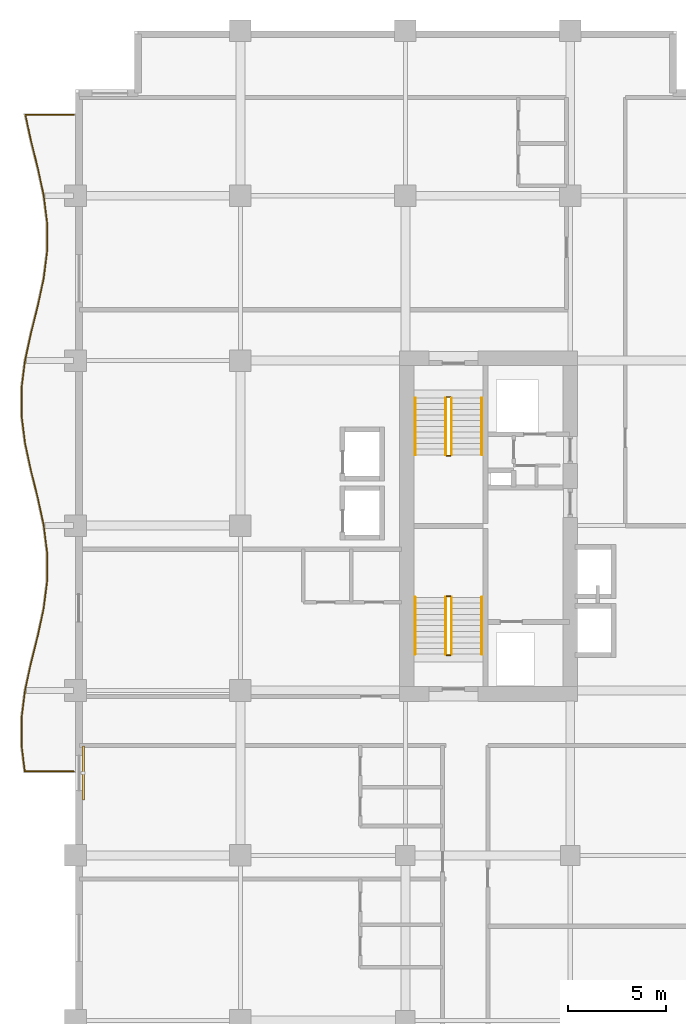
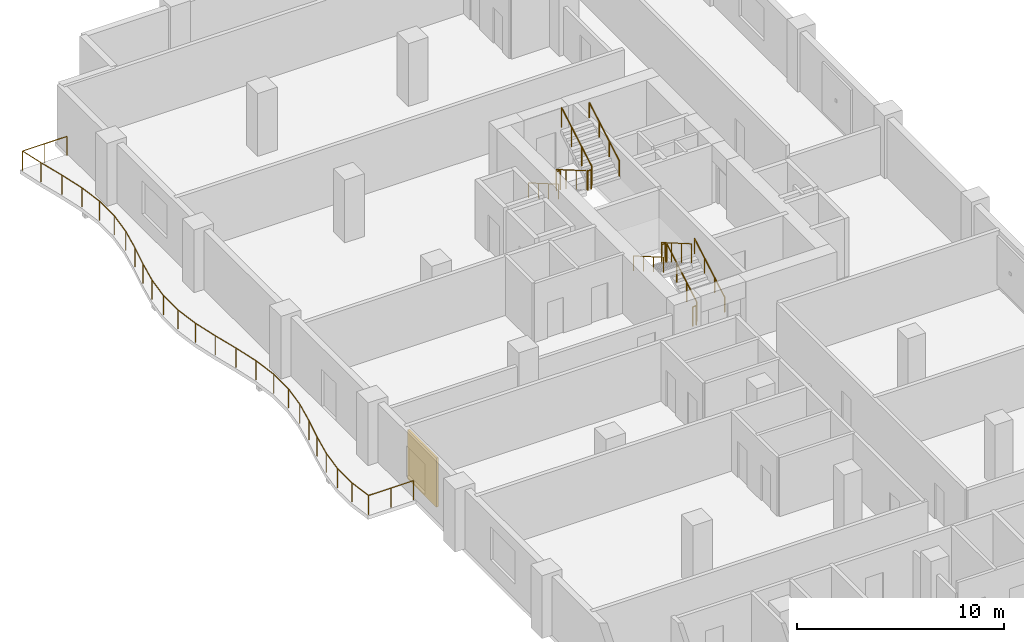
# One storey, part 15 of 16: 13 railings, 1 shading device.
"""IFC4 building model written with IfcOpenShell, lengths in metres."""

from ifc_helpers import new_model, si_unit, direction, frame, origin, origin_2d, place, context, subcontext, project, spatial, rectangle, circle, extrude, material, layer, layer_set, type_object, element, save


model = new_model("IFC4")

# Units and contexts
model_context = context("Model", 3, precision=1e-05, world=origin(), true_north=direction((0.0, 1.0)))
body_context = subcontext(model_context, "Body", "Model", "MODEL_VIEW")
ifc_project = project(units=[si_unit("LENGTHUNIT", "METRE"), si_unit("AREAUNIT", "SQUARE_METRE"), si_unit("VOLUMEUNIT", "CUBIC_METRE"), si_unit("PLANEANGLEUNIT", "RADIAN"), si_unit("MASSUNIT", "GRAM", prefix="KILO")], contexts=[model_context])

# Site, building, storey
site_placement = place(None, origin())
site = spatial("IfcSite", under=ifc_project, at=site_placement, CompositionType="ELEMENT")
building_placement = place(site_placement, origin())
building = spatial("IfcBuilding", under=site, at=building_placement, Name="Koriwani Terraces Tower", CompositionType="ELEMENT")
storey_placement = place(building_placement, frame((0.0, 0.0, 171.699951171875)))
storey = spatial("IfcBuildingStorey", under=building, at=storey_placement, Name="L41", CompositionType="ELEMENT", Elevation=171.699951171875)

# Railings
ifc_material_1 = material(Name="Steel ASTM A572 Grade 50", Category="steel")
railing_type_1 = type_object("IfcRailingType", Name="GUARD_BALUSTRADE_1150", PredefinedType="BALUSTRADE", material=ifc_material_1)
railing_1_placement = place(storey_placement, frame((-0.080078125, 37.8798828125, 0.0)))
element("IfcRailing", 1, at=railing_1_placement, inside=storey, type_object=railing_type_1, Name="L41 Balcony Perimeter Safety Balustrade (W)", PredefinedType="BALUSTRADE", context=body_context, shape_type="SweptSolid", body=[
    extrude(circle(Radius=0.02392578125, at=origin_2d()), frame((0.0, 0.0, 1.1259765625), z_axis=(-1.0, 0.0, 0.0), x_axis=(0.0, -1.0, 0.0)), (0.0, 0.0, 1.0), 2.501708984375),
    extrude(circle(Radius=0.02392578125, at=origin_2d()), frame((-2.501708984375, 0.0, 1.1259765625), z_axis=(-0.123764728544, 0.992311590161, 0.0), x_axis=(-0.992311590161, -0.123764728544, 0.0)), (0.0, 0.0, 1.0), 1.33544921875),
    extrude(circle(Radius=0.02392578125, at=origin_2d()), frame((-2.6669921875, 1.3251953125, 1.1259765625), z_axis=(0.0, 1.0, 0.0), x_axis=(-1.0, 0.0, 0.0)), (0.0, 0.0, 1.0), 1.389892578125),
    extrude(circle(Radius=0.02392578125, at=origin_2d()), frame((-2.6669921875, 2.715087890625, 1.1259765625), z_axis=(0.123777613669, 0.992309982997, 0.0), x_axis=(-0.992309982997, 0.123777613669, 0.0)), (0.0, 0.0, 1.0), 1.40234375),
    extrude(circle(Radius=0.02392578125, at=origin_2d()), frame((-2.493408203125, 4.106689453125, 1.1259765625), z_axis=(0.211385782237, 0.977402706702, 0.0), x_axis=(-0.977402706702, 0.211385782237, 0.0)), (0.0, 0.0, 1.0), 1.427490234375),
    extrude(circle(Radius=0.02392578125, at=origin_2d()), frame((-2.191650390625, 5.501953125, 1.1259765625), z_axis=(0.242097720621, 0.970251871253, 0.0), x_axis=(-0.970251871253, 0.242097720621, 0.0)), (0.0, 0.0, 1.0), 1.443115234375),
    extrude(circle(Radius=0.02392578125, at=origin_2d()), frame((-1.84228515625, 6.902099609375, 1.1259765625), z_axis=(0.211188023857, 0.977445455552, 0.0), x_axis=(-0.977445455552, 0.211188023857, 0.0)), (0.0, 0.0, 1.0), 1.43701171875),
    extrude(circle(Radius=0.02392578125, at=origin_2d()), frame((-1.538818359375, 8.306640625, 1.1259765625), z_axis=(0.123674829633, 0.992322798546, 0.0), x_axis=(-0.992322798546, 0.123674829633, 0.0)), (0.0, 0.0, 1.0), 1.41943359375),
    extrude(circle(Radius=0.02392578125, at=origin_2d()), frame((-1.36328125, 9.715087890625, 1.1259765625), z_axis=(0.0, 1.0, 0.0), x_axis=(-1.0, 0.0, 0.0)), (0.0, 0.0, 1.0), 1.409912109375),
    extrude(circle(Radius=0.02392578125, at=origin_2d()), frame((-1.36328125, 11.125, 1.1259765625), z_axis=(-0.123674829633, 0.992322798546, 0.0), x_axis=(-0.992322798546, -0.123674829633, 0.0)), (0.0, 0.0, 1.0), 1.41943359375),
    extrude(circle(Radius=0.02392578125, at=origin_2d()), frame((-1.538818359375, 12.533447265625, 1.1259765625), z_axis=(-0.21115295759, 0.977453031353, 0.0), x_axis=(-0.977453031353, -0.21115295759, 0.0)), (0.0, 0.0, 1.0), 1.437255859375),
    extrude(circle(Radius=0.02392578125, at=origin_2d()), frame((-1.84228515625, 13.938232421875, 1.1259765625), z_axis=(-0.242137466795, 0.970241952903, 0.0), x_axis=(-0.970241952903, -0.242137466795, 0.0)), (0.0, 0.0, 1.0), 1.44287109375),
    extrude(circle(Radius=0.02392578125, at=origin_2d()), frame((-2.191650390625, 15.338134765625, 1.1259765625), z_axis=(-0.211385782237, 0.977402706702, 0.0), x_axis=(-0.977402706702, -0.211385782237, 0.0)), (0.0, 0.0, 1.0), 1.427490234375),
    extrude(circle(Radius=0.02392578125, at=origin_2d()), frame((-2.493408203125, 16.7333984375, 1.1259765625), z_axis=(-0.123777613669, 0.992309982997, 0.0), x_axis=(-0.992309982997, -0.123777613669, 0.0)), (0.0, 0.0, 1.0), 1.40234375),
    extrude(circle(Radius=0.02392578125, at=origin_2d()), frame((-2.6669921875, 18.125, 1.1259765625), z_axis=(0.0, 1.0, 0.0), x_axis=(-1.0, 0.0, 0.0)), (0.0, 0.0, 1.0), 1.39013671875),
    extrude(circle(Radius=0.02392578125, at=origin_2d()), frame((-2.6669921875, 19.51513671875, 1.1259765625), z_axis=(0.123777613669, 0.992309982997, 0.0), x_axis=(-0.992309982997, 0.123777613669, 0.0)), (0.0, 0.0, 1.0), 1.40234375),
    extrude(circle(Radius=0.02392578125, at=origin_2d()), frame((-2.493408203125, 20.90673828125, 1.1259765625), z_axis=(0.211385782237, 0.977402706702, 0.0), x_axis=(-0.977402706702, 0.211385782237, 0.0)), (0.0, 0.0, 1.0), 1.427490234375),
    extrude(circle(Radius=0.02392578125, at=origin_2d()), frame((-2.191650390625, 22.302001953125, 1.1259765625), z_axis=(0.242137466795, 0.970241952903, 0.0), x_axis=(-0.970241952903, 0.242137466795, 0.0)), (0.0, 0.0, 1.0), 1.44287109375),
    extrude(circle(Radius=0.02392578125, at=origin_2d()), frame((-1.84228515625, 23.701904296875, 1.1259765625), z_axis=(0.21115295759, 0.977453031353, 0.0), x_axis=(-0.977453031353, 0.21115295759, 0.0)), (0.0, 0.0, 1.0), 1.437255859375),
    extrude(circle(Radius=0.02392578125, at=origin_2d()), frame((-1.538818359375, 25.106689453125, 1.1259765625), z_axis=(0.123674829633, 0.992322798546, 0.0), x_axis=(-0.992322798546, 0.123674829633, 0.0)), (0.0, 0.0, 1.0), 1.41943359375),
    extrude(circle(Radius=0.02392578125, at=origin_2d()), frame((-1.36328125, 26.51513671875, 1.1259765625), z_axis=(0.0, 1.0, 0.0), x_axis=(-1.0, 0.0, 0.0)), (0.0, 0.0, 1.0), 1.409912109375),
    extrude(circle(Radius=0.02392578125, at=origin_2d()), frame((-1.36328125, 27.925048828125, 1.1259765625), z_axis=(-0.123674829633, 0.992322798546, 0.0), x_axis=(-0.992322798546, -0.123674829633, 0.0)), (0.0, 0.0, 1.0), 1.41943359375),
    extrude(circle(Radius=0.02392578125, at=origin_2d()), frame((-1.538818359375, 29.33349609375, 1.1259765625), z_axis=(-0.21115295759, 0.977453031353, 0.0), x_axis=(-0.977453031353, -0.21115295759, 0.0)), (0.0, 0.0, 1.0), 1.437255859375),
    extrude(circle(Radius=0.02392578125, at=origin_2d()), frame((-1.84228515625, 30.73828125, 1.1259765625), z_axis=(-0.242137466795, 0.970241952903, 0.0), x_axis=(-0.970241952903, -0.242137466795, 0.0)), (0.0, 0.0, 1.0), 1.44287109375),
    extrude(circle(Radius=0.02392578125, at=origin_2d()), frame((-2.191650390625, 32.13818359375, 1.1259765625), z_axis=(-0.211318595877, 0.977417234878, 0.0), x_axis=(-0.977417234878, -0.211318595877, 0.0)), (0.0, 0.0, 1.0), 1.33203125),
    extrude(circle(Radius=0.02392578125, at=origin_2d()), frame((-2.47314453125, 33.440185546875, 1.1259765625), z_axis=(1.0, 0.0, 0.0), x_axis=(0.0, 1.0, 0.0)), (0.0, 0.0, 1.0), 2.47314453125),
    extrude(circle(Radius=0.02099609375, at=origin_2d()), origin(), (0.0, 0.0, 1.0), 1.101806640625),
    extrude(circle(Radius=0.02099609375, at=origin_2d()), frame((-1.2509765625, 0.0, 0.0)), (0.0, 0.0, 1.0), 1.101806640625),
    extrude(circle(Radius=0.02099609375, at=origin_2d()), frame((-2.501708984375, 0.0, 0.0)), (0.0, 0.0, 1.0), 1.101806640625),
    extrude(circle(Radius=0.02099609375, at=origin_2d()), frame((-2.6669921875, 1.3251953125, 0.0)), (0.0, 0.0, 1.0), 1.101806640625),
    extrude(circle(Radius=0.02099609375, at=origin_2d()), frame((-2.6669921875, 2.715087890625, 0.0)), (0.0, 0.0, 1.0), 1.101806640625),
    extrude(circle(Radius=0.02099609375, at=origin_2d()), frame((-2.493408203125, 4.106689453125, 0.0)), (0.0, 0.0, 1.0), 1.101806640625),
    extrude(circle(Radius=0.02099609375, at=origin_2d()), frame((-2.191650390625, 5.501953125, 0.0)), (0.0, 0.0, 1.0), 1.101806640625),
    extrude(circle(Radius=0.02099609375, at=origin_2d()), frame((-1.84228515625, 6.902099609375, 0.0)), (0.0, 0.0, 1.0), 1.101806640625),
    extrude(circle(Radius=0.02099609375, at=origin_2d()), frame((-1.538818359375, 8.306640625, 0.0)), (0.0, 0.0, 1.0), 1.101806640625),
    extrude(circle(Radius=0.02099609375, at=origin_2d()), frame((-1.36328125, 9.715087890625, 0.0)), (0.0, 0.0, 1.0), 1.101806640625),
    extrude(circle(Radius=0.02099609375, at=origin_2d()), frame((-1.36328125, 11.125, 0.0)), (0.0, 0.0, 1.0), 1.101806640625),
    extrude(circle(Radius=0.02099609375, at=origin_2d()), frame((-1.538818359375, 12.533447265625, 0.0)), (0.0, 0.0, 1.0), 1.101806640625),
    extrude(circle(Radius=0.02099609375, at=origin_2d()), frame((-1.84228515625, 13.938232421875, 0.0)), (0.0, 0.0, 1.0), 1.101806640625),
    extrude(circle(Radius=0.02099609375, at=origin_2d()), frame((-2.191650390625, 15.338134765625, 0.0)), (0.0, 0.0, 1.0), 1.101806640625),
    extrude(circle(Radius=0.02099609375, at=origin_2d()), frame((-2.493408203125, 16.7333984375, 0.0)), (0.0, 0.0, 1.0), 1.101806640625),
    extrude(circle(Radius=0.02099609375, at=origin_2d()), frame((-2.6669921875, 18.125, 0.0)), (0.0, 0.0, 1.0), 1.101806640625),
    extrude(circle(Radius=0.02099609375, at=origin_2d()), frame((-2.6669921875, 19.51513671875, 0.0)), (0.0, 0.0, 1.0), 1.101806640625),
    extrude(circle(Radius=0.02099609375, at=origin_2d()), frame((-2.493408203125, 20.90673828125, 0.0)), (0.0, 0.0, 1.0), 1.101806640625),
    extrude(circle(Radius=0.02099609375, at=origin_2d()), frame((-2.191650390625, 22.302001953125, 0.0)), (0.0, 0.0, 1.0), 1.101806640625),
    extrude(circle(Radius=0.02099609375, at=origin_2d()), frame((-1.84228515625, 23.701904296875, 0.0)), (0.0, 0.0, 1.0), 1.101806640625),
    extrude(circle(Radius=0.02099609375, at=origin_2d()), frame((-1.538818359375, 25.106689453125, 0.0)), (0.0, 0.0, 1.0), 1.101806640625),
    extrude(circle(Radius=0.02099609375, at=origin_2d()), frame((-1.36328125, 26.51513671875, 0.0)), (0.0, 0.0, 1.0), 1.101806640625),
    extrude(circle(Radius=0.02099609375, at=origin_2d()), frame((-1.36328125, 27.925048828125, 0.0)), (0.0, 0.0, 1.0), 1.101806640625),
    extrude(circle(Radius=0.02099609375, at=origin_2d()), frame((-1.538818359375, 29.33349609375, 0.0)), (0.0, 0.0, 1.0), 1.101806640625),
    extrude(circle(Radius=0.02099609375, at=origin_2d()), frame((-1.84228515625, 30.73828125, 0.0)), (0.0, 0.0, 1.0), 1.101806640625),
    extrude(circle(Radius=0.02099609375, at=origin_2d()), frame((-2.191650390625, 32.13818359375, 0.0)), (0.0, 0.0, 1.0), 1.101806640625),
    extrude(circle(Radius=0.02099609375, at=origin_2d()), frame((-2.47314453125, 33.440185546875, 0.0)), (0.0, 0.0, 1.0), 1.101806640625),
    extrude(circle(Radius=0.02099609375, at=origin_2d()), frame((-1.236572265625, 33.440185546875, 0.0)), (0.0, 0.0, 1.0), 1.101806640625),
    extrude(circle(Radius=0.02099609375, at=origin_2d()), frame((0.0, 33.440185546875, 0.0)), (0.0, 0.0, 1.0), 1.101806640625),
])
railing_type_2 = type_object("IfcRailingType", Name="GUARD_STAIR_WELL_1120", PredefinedType="GUARDRAIL", material=ifc_material_1)
railing_2_placement = place(storey_placement, frame((19.14990234375, 43.85009765625, 0.168212890625)))
element("IfcRailing", 2, at=railing_2_placement, inside=storey, type_object=railing_type_2, Name="L41 ST-W1 stair guard 1", PredefinedType="GUARDRAIL", context=body_context, shape_type="SweptSolid", body=[
    extrude(circle(Radius=0.02392578125, at=origin_2d()), frame((0.0, 0.0, 1.1259765625), z_axis=(0.0, 0.865038774852, 0.501705010941), x_axis=(-1.0, 0.0, 0.0)), (0.0, 0.0, 1.0), 3.352294921875),
    extrude(circle(Radius=0.02099609375, at=origin_2d()), origin(), (0.0, 0.0, 1.0), 1.101806640625),
    extrude(circle(Radius=0.02099609375, at=origin_2d()), frame((0.0, 0.966552734375, 0.560546875)), (0.0, 0.0, 1.0), 1.101806640625),
    extrude(circle(Radius=0.02099609375, at=origin_2d()), frame((0.0, 1.933349609375, 1.121337890625)), (0.0, 0.0, 1.0), 1.101806640625),
    extrude(circle(Radius=0.02099609375, at=origin_2d()), frame((0.0, 2.89990234375, 1.681884765625)), (0.0, 0.0, 1.0), 1.101806640625),
])
railing_3_placement = place(storey_placement, frame((19.10009765625, 46.800048828125, 1.85009765625)))
element("IfcRailing", 3, at=railing_3_placement, inside=storey, type_object=railing_type_2, Name="L41 ST-W1 stair guard 2", PredefinedType="GUARDRAIL", context=body_context, shape_type="SweptSolid", body=[
    extrude(circle(Radius=0.02392578125, at=origin_2d()), frame((0.0, 0.0, 1.1259765625), z_axis=(-1.0, 0.0, 0.0), x_axis=(0.0, -1.0, 0.0)), (0.0, 0.0, 1.0), 0.2001953125),
    extrude(circle(Radius=0.02099609375, at=origin_2d()), origin(), (0.0, 0.0, 1.0), 1.101806640625),
    extrude(circle(Radius=0.02099609375, at=origin_2d()), frame((-0.2001953125, 0.0, 0.0)), (0.0, 0.0, 1.0), 1.101806640625),
])
railing_4_placement = place(storey_placement, frame((18.85009765625, 46.75, 2.018310546875)))
element("IfcRailing", 4, at=railing_4_placement, inside=storey, type_object=railing_type_2, Name="L41 ST-W1 stair guard 3", PredefinedType="GUARDRAIL", context=body_context, shape_type="SweptSolid", body=[
    extrude(circle(Radius=0.02392578125, at=origin_2d()), frame((0.0, 0.0, 1.1259765625), z_axis=(0.0, -0.86507038078, 0.501650512107), x_axis=(1.0, 0.0, 0.0)), (0.0, 0.0, 1.0), 3.352294921875),
    extrude(circle(Radius=0.02099609375, at=origin_2d()), origin(), (0.0, 0.0, 1.0), 1.101806640625),
    extrude(circle(Radius=0.02099609375, at=origin_2d()), frame((0.0, -0.966552734375, 0.560546875)), (0.0, 0.0, 1.0), 1.101806640625),
    extrude(circle(Radius=0.02099609375, at=origin_2d()), frame((0.0, -1.933349609375, 1.12109375)), (0.0, 0.0, 1.0), 1.101806640625),
    extrude(circle(Radius=0.02099609375, at=origin_2d()), frame((0.0, -2.89990234375, 1.681640625)), (0.0, 0.0, 1.0), 1.101806640625),
])
railing_5_placement = place(storey_placement, frame((19.10009765625, 43.800048828125, 0.0)))
element("IfcRailing", 5, at=railing_5_placement, inside=storey, type_object=railing_type_2, Name="L41 ST-W1 stair guard 4", PredefinedType="GUARDRAIL", context=body_context, shape_type="SweptSolid", body=[
    extrude(circle(Radius=0.02392578125, at=origin_2d()), frame((0.0, 0.0, 1.1259765625), z_axis=(-1.0, 0.0, 0.0), x_axis=(0.0, -1.0, 0.0)), (0.0, 0.0, 1.0), 0.2001953125),
    extrude(circle(Radius=0.02099609375, at=origin_2d()), origin(), (0.0, 0.0, 1.0), 1.101806640625),
    extrude(circle(Radius=0.02099609375, at=origin_2d()), frame((-0.2001953125, 0.0, 0.0)), (0.0, 0.0, 1.0), 1.101806640625),
])
railing_6_placement = place(storey_placement, frame((18.85009765625, 56.89990234375, 0.168212890625)))
element("IfcRailing", 6, at=railing_6_placement, inside=storey, type_object=railing_type_2, Name="L41 ST-W2 stair guard 1", PredefinedType="GUARDRAIL", context=body_context, shape_type="SweptSolid", body=[
    extrude(circle(Radius=0.02392578125, at=origin_2d()), frame((0.0, 0.0, 1.1259765625), z_axis=(0.0, -0.865038774852, 0.501705010941), x_axis=(1.0, 0.0, 0.0)), (0.0, 0.0, 1.0), 3.352294921875),
    extrude(circle(Radius=0.02099609375, at=origin_2d()), origin(), (0.0, 0.0, 1.0), 1.101806640625),
    extrude(circle(Radius=0.02099609375, at=origin_2d()), frame((0.0, -0.966552734375, 0.560546875)), (0.0, 0.0, 1.0), 1.101806640625),
    extrude(circle(Radius=0.02099609375, at=origin_2d()), frame((0.0, -1.933349609375, 1.121337890625)), (0.0, 0.0, 1.0), 1.101806640625),
    extrude(circle(Radius=0.02099609375, at=origin_2d()), frame((0.0, -2.89990234375, 1.681884765625)), (0.0, 0.0, 1.0), 1.101806640625),
])
railing_7_placement = place(storey_placement, frame((18.89990234375, 53.949951171875, 1.85009765625)))
element("IfcRailing", 7, at=railing_7_placement, inside=storey, type_object=railing_type_2, Name="L41 ST-W2 stair guard 2", PredefinedType="GUARDRAIL", context=body_context, shape_type="SweptSolid", body=[
    extrude(circle(Radius=0.02392578125, at=origin_2d()), frame((0.0, 0.0, 1.1259765625), z_axis=(1.0, 0.0, 0.0), x_axis=(0.0, 1.0, 0.0)), (0.0, 0.0, 1.0), 0.2001953125),
    extrude(circle(Radius=0.02099609375, at=origin_2d()), origin(), (0.0, 0.0, 1.0), 1.101806640625),
    extrude(circle(Radius=0.02099609375, at=origin_2d()), frame((0.2001953125, 0.0, 0.0)), (0.0, 0.0, 1.0), 1.101806640625),
])
railing_8_placement = place(storey_placement, frame((19.14990234375, 54.0, 2.018310546875)))
element("IfcRailing", 8, at=railing_8_placement, inside=storey, type_object=railing_type_2, Name="L41 ST-W2 stair guard 3", PredefinedType="GUARDRAIL", context=body_context, shape_type="SweptSolid", body=[
    extrude(circle(Radius=0.02392578125, at=origin_2d()), frame((0.0, 0.0, 1.1259765625), z_axis=(0.0, 0.86507038078, 0.501650512107), x_axis=(-1.0, 0.0, 0.0)), (0.0, 0.0, 1.0), 3.352294921875),
    extrude(circle(Radius=0.02099609375, at=origin_2d()), origin(), (0.0, 0.0, 1.0), 1.101806640625),
    extrude(circle(Radius=0.02099609375, at=origin_2d()), frame((0.0, 0.966552734375, 0.560546875)), (0.0, 0.0, 1.0), 1.101806640625),
    extrude(circle(Radius=0.02099609375, at=origin_2d()), frame((0.0, 1.933349609375, 1.12109375)), (0.0, 0.0, 1.0), 1.101806640625),
    extrude(circle(Radius=0.02099609375, at=origin_2d()), frame((0.0, 2.89990234375, 1.681640625)), (0.0, 0.0, 1.0), 1.101806640625),
])
railing_9_placement = place(storey_placement, frame((18.89990234375, 56.949951171875, 0.0)))
element("IfcRailing", 9, at=railing_9_placement, inside=storey, type_object=railing_type_2, Name="L41 ST-W2 stair guard 4", PredefinedType="GUARDRAIL", context=body_context, shape_type="SweptSolid", body=[
    extrude(circle(Radius=0.02392578125, at=origin_2d()), frame((0.0, 0.0, 1.1259765625), z_axis=(1.0, 0.0, 0.0), x_axis=(0.0, 1.0, 0.0)), (0.0, 0.0, 1.0), 0.2001953125),
    extrude(circle(Radius=0.02099609375, at=origin_2d()), origin(), (0.0, 0.0, 1.0), 1.101806640625),
    extrude(circle(Radius=0.02099609375, at=origin_2d()), frame((0.2001953125, 0.0, 0.0)), (0.0, 0.0, 1.0), 1.101806640625),
])
railing_type_3 = type_object("IfcRailingType", Name="HANDRAIL_STAIR_920", PredefinedType="HANDRAIL", material=ifc_material_1)
railing_10_placement = place(storey_placement, frame((20.699951171875, 43.85009765625, 0.168212890625)))
element("IfcRailing", 10, at=railing_10_placement, inside=storey, type_object=railing_type_3, Name="L41 ST-W1 stair handrail 1", PredefinedType="HANDRAIL", context=body_context, shape_type="SweptSolid", body=[
    extrude(circle(Radius=0.02392578125, at=origin_2d()), frame((0.0, 0.0, 0.8759765625), z_axis=(0.0, 0.865038774852, 0.501705010941), x_axis=(-1.0, 0.0, 0.0)), (0.0, 0.0, 1.0), 3.352294921875),
    extrude(circle(Radius=0.02099609375, at=origin_2d()), origin(), (0.0, 0.0, 1.0), 0.851806640625),
    extrude(circle(Radius=0.02099609375, at=origin_2d()), frame((0.0, 0.966552734375, 0.560546875)), (0.0, 0.0, 1.0), 0.851806640625),
    extrude(circle(Radius=0.02099609375, at=origin_2d()), frame((0.0, 1.933349609375, 1.121337890625)), (0.0, 0.0, 1.0), 0.851806640625),
    extrude(circle(Radius=0.02099609375, at=origin_2d()), frame((0.0, 2.89990234375, 1.681884765625)), (0.0, 0.0, 1.0), 0.851806640625),
])
railing_11_placement = place(storey_placement, frame((17.300048828125, 46.75, 2.018310546875)))
element("IfcRailing", 11, at=railing_11_placement, inside=storey, type_object=railing_type_3, Name="L41 ST-W1 stair handrail 2", PredefinedType="HANDRAIL", context=body_context, shape_type="SweptSolid", body=[
    extrude(circle(Radius=0.02392578125, at=origin_2d()), frame((0.0, 0.0, 0.8759765625), z_axis=(0.0, -0.86507038078, 0.501650512107), x_axis=(1.0, 0.0, 0.0)), (0.0, 0.0, 1.0), 3.352294921875),
    extrude(circle(Radius=0.02099609375, at=origin_2d()), origin(), (0.0, 0.0, 1.0), 0.851806640625),
    extrude(circle(Radius=0.02099609375, at=origin_2d()), frame((0.0, -0.966552734375, 0.560546875)), (0.0, 0.0, 1.0), 0.851806640625),
    extrude(circle(Radius=0.02099609375, at=origin_2d()), frame((0.0, -1.933349609375, 1.12109375)), (0.0, 0.0, 1.0), 0.851806640625),
    extrude(circle(Radius=0.02099609375, at=origin_2d()), frame((0.0, -2.89990234375, 1.681640625)), (0.0, 0.0, 1.0), 0.851806640625),
])
railing_12_placement = place(storey_placement, frame((17.300048828125, 56.89990234375, 0.168212890625)))
element("IfcRailing", 12, at=railing_12_placement, inside=storey, type_object=railing_type_3, Name="L41 ST-W2 stair handrail 1", PredefinedType="HANDRAIL", context=body_context, shape_type="SweptSolid", body=[
    extrude(circle(Radius=0.02392578125, at=origin_2d()), frame((0.0, 0.0, 0.8759765625), z_axis=(0.0, -0.865038774852, 0.501705010941), x_axis=(1.0, 0.0, 0.0)), (0.0, 0.0, 1.0), 3.352294921875),
    extrude(circle(Radius=0.02099609375, at=origin_2d()), origin(), (0.0, 0.0, 1.0), 0.851806640625),
    extrude(circle(Radius=0.02099609375, at=origin_2d()), frame((0.0, -0.966552734375, 0.560546875)), (0.0, 0.0, 1.0), 0.851806640625),
    extrude(circle(Radius=0.02099609375, at=origin_2d()), frame((0.0, -1.933349609375, 1.121337890625)), (0.0, 0.0, 1.0), 0.851806640625),
    extrude(circle(Radius=0.02099609375, at=origin_2d()), frame((0.0, -2.89990234375, 1.681884765625)), (0.0, 0.0, 1.0), 0.851806640625),
])
railing_13_placement = place(storey_placement, frame((20.699951171875, 54.0, 2.018310546875)))
element("IfcRailing", 13, at=railing_13_placement, inside=storey, type_object=railing_type_3, Name="L41 ST-W2 stair handrail 2", PredefinedType="HANDRAIL", context=body_context, shape_type="SweptSolid", body=[
    extrude(circle(Radius=0.02392578125, at=origin_2d()), frame((0.0, 0.0, 0.8759765625), z_axis=(0.0, 0.86507038078, 0.501650512107), x_axis=(-1.0, 0.0, 0.0)), (0.0, 0.0, 1.0), 3.352294921875),
    extrude(circle(Radius=0.02099609375, at=origin_2d()), origin(), (0.0, 0.0, 1.0), 0.851806640625),
    extrude(circle(Radius=0.02099609375, at=origin_2d()), frame((0.0, 0.966552734375, 0.560546875)), (0.0, 0.0, 1.0), 0.851806640625),
    extrude(circle(Radius=0.02099609375, at=origin_2d()), frame((0.0, 1.933349609375, 1.12109375)), (0.0, 0.0, 1.0), 0.851806640625),
    extrude(circle(Radius=0.02099609375, at=origin_2d()), frame((0.0, 2.89990234375, 1.681640625)), (0.0, 0.0, 1.0), 0.851806640625),
])

# Shading device
ifc_material_2 = material(Name="Extruded Terracotta Clay", Category="masonry")
ifc_layer = layer(ifc_material_2, 0.1201171875, Name="Extruded Terracotta Clay")
ifc_layer_set = layer_set([ifc_layer], Name="Extruded Terracotta Clay")
shading_device_type = type_object("IfcShadingDeviceType", Name="TERRACOTTA_BAGUETTE_SCREEN_2800", PredefinedType="USERDEFINED", material=ifc_layer_set)
shading_device_placement = place(storey_placement, frame((0.405029296875, 37.800048828125, 0.28515625), z_axis=(0.0, 0.0, 1.0), x_axis=(0.0, 1.0, 0.0)))
element("IfcShadingDevice", 14, at=shading_device_placement, inside=storey, type_object=shading_device_type, Name="L41 Extruded Terracotta Baguette Screen (W-12)", ObjectType="BAGUETTE", PredefinedType="USERDEFINED", context=body_context, shape_type="SweptSolid", body=[
    extrude(rectangle(XDim=2.760009765625, YDim=0.1201171875, at=origin_2d()), origin(), (0.0, 0.0, 1.0), 2.89990234375),
])

save(model, "model.ifc")
